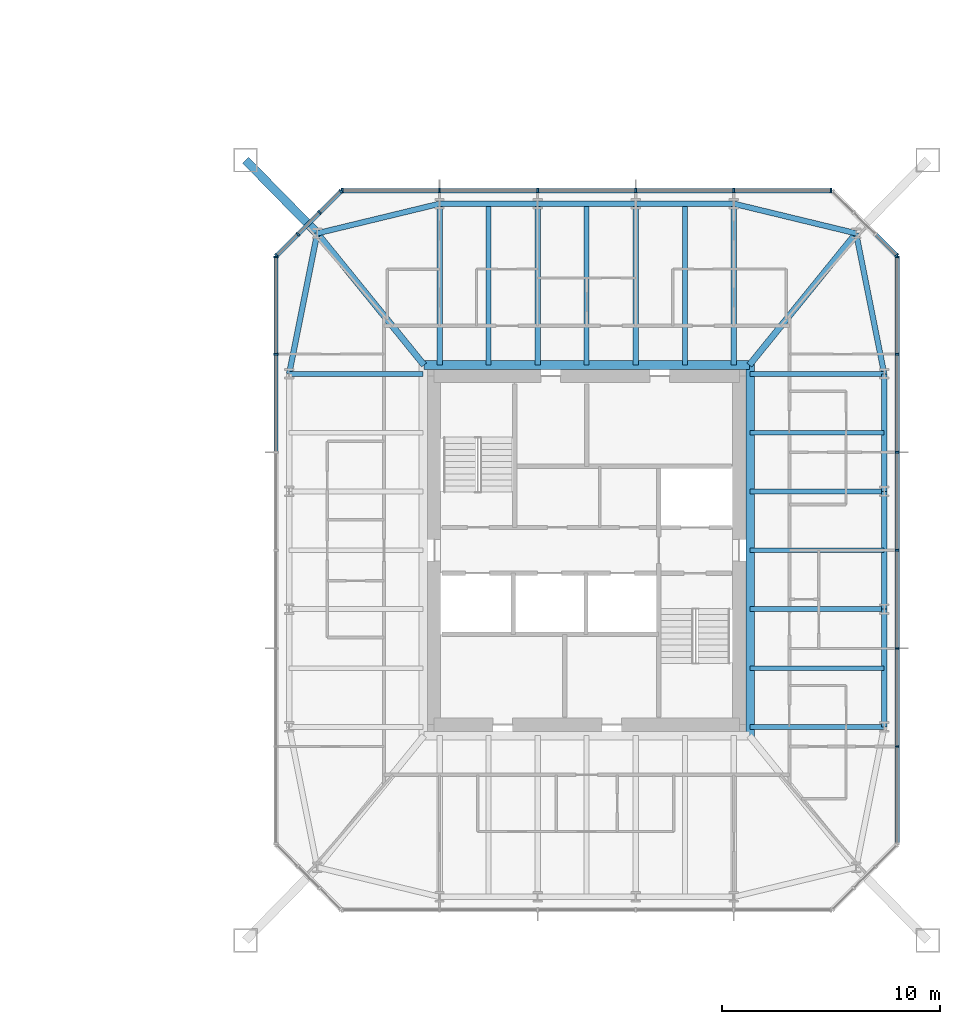
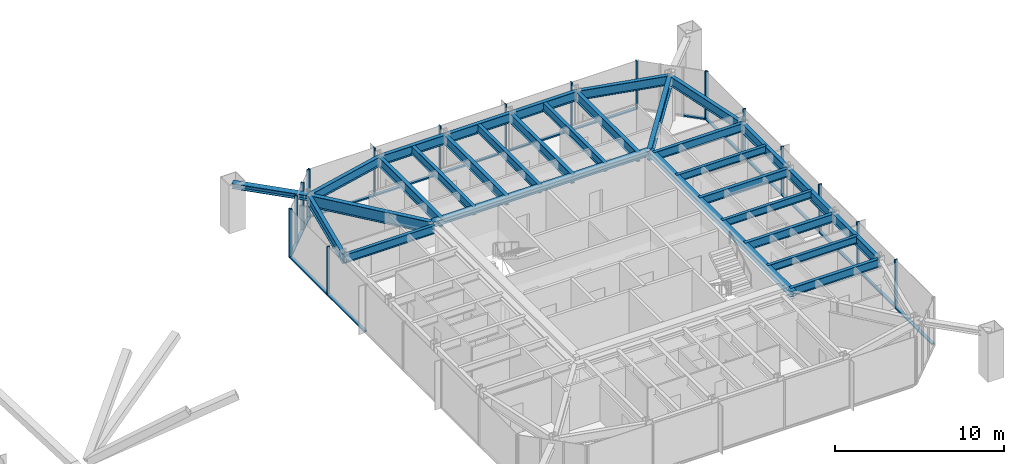
# One storey, part 11 of 27: 37 members, 29 beams, 5 elements without a shape of their own.
"""IFC4 building model written with IfcOpenShell, lengths in metres."""

from ifc_helpers import new_model, si_unit, direction, frame, origin, origin_2d, place, context, subcontext, project, spatial, rectangle, i_section, extrude, material, material_profile, profile_set, type_object, element, aggregate, save


model = new_model("IFC4")

# Units and contexts
model_context = context("Model", 3, precision=1e-05, world=origin(), true_north=direction((0.0, 1.0)))
body_context = subcontext(model_context, "Body", "Model", "MODEL_VIEW")
ifc_project = project(units=[si_unit("LENGTHUNIT", "METRE"), si_unit("AREAUNIT", "SQUARE_METRE"), si_unit("VOLUMEUNIT", "CUBIC_METRE"), si_unit("PLANEANGLEUNIT", "RADIAN"), si_unit("MASSUNIT", "GRAM", prefix="KILO")], contexts=[model_context])

# Site, building, storey
site_placement = place(None, origin())
site = spatial("IfcSite", under=ifc_project, at=site_placement, CompositionType="ELEMENT")
building_placement = place(site_placement, origin())
building = spatial("IfcBuilding", under=site, at=building_placement, Name="Iwan Alto Co-Living Towers", CompositionType="ELEMENT")
storey_placement = place(building_placement, frame((0.0, 0.0, 91.0)))
storey = spatial("IfcBuildingStorey", under=building, at=storey_placement, Name="L24", CompositionType="ELEMENT", Elevation=91.0)

# Curtain wall, members
ifc_material_1 = material(Name="Bronze aluminium unitised frame", Category="aluminium")
curtain_wall_type_1 = type_object("IfcCurtainWallType", Name="CURTAIN WALL CW-C", PredefinedType="NOTDEFINED", material=ifc_material_1)
curtain_wall_1_placement = place(storey_placement, origin())
curtain_wall_1 = element("IfcCurtainWall", 1, at=curtain_wall_1_placement, inside=storey, type_object=curtain_wall_type_1, Name="T2 curtain wall E L24", PredefinedType="NOTDEFINED")
ifc_material_2 = material(Name="Aluminium 6063-T6 bronze anodised", Category="aluminium")
ifc_material_profile_1 = material_profile(ifc_material_2, rectangle(XDim=0.199951171875, YDim=0.080078125, at=origin_2d()), Name="AL 80X200")
ifc_profile_set_1 = profile_set([ifc_material_profile_1], Name="Aluminium 6063-T6 bronze anodised")
member_type_1 = type_object("IfcMemberType", Name="CW-C MULLION 80X200", PredefinedType="MULLION", material=ifc_profile_set_1)
member_1_placement = place(storey_placement, frame((77.25, -9.0, 0.0), z_axis=(0.0, 0.0, 1.0), x_axis=(-1.0, 0.0, 0.0)))
member_1 = element("IfcMember", 2, at=member_1_placement, type_object=member_type_1, Name="CW-C mullion 2", PredefinedType="MULLION", context=body_context, shape_type="SweptSolid", body=[
    extrude(rectangle(XDim=0.199951171875, YDim=0.080078125, at=origin_2d()), origin(), (0.0, 0.0, 1.0), 3.5),
])
member_2_placement = place(storey_placement, frame((77.25, -4.5, 0.0), z_axis=(0.0, 0.0, 1.0), x_axis=(-1.0, 0.0, 0.0)))
member_2 = element("IfcMember", 3, at=member_2_placement, type_object=member_type_1, Name="CW-C mullion 3", PredefinedType="MULLION", context=body_context, shape_type="SweptSolid", body=[
    extrude(rectangle(XDim=0.199951171875, YDim=0.080078125, at=origin_2d()), origin(), (0.0, 0.0, 1.0), 3.5),
])
member_3_placement = place(storey_placement, frame((77.25, 0.0, 0.0), z_axis=(0.0, 0.0, 1.0), x_axis=(-1.0, 0.0, 0.0)))
member_3 = element("IfcMember", 4, at=member_3_placement, type_object=member_type_1, Name="CW-C mullion 4", PredefinedType="MULLION", context=body_context, shape_type="SweptSolid", body=[
    extrude(rectangle(XDim=0.199951171875, YDim=0.080078125, at=origin_2d()), origin(), (0.0, 0.0, 1.0), 3.5),
])
member_4_placement = place(storey_placement, frame((77.25, 4.5, 0.0), z_axis=(0.0, 0.0, 1.0), x_axis=(-1.0, 0.0, 0.0)))
member_4 = element("IfcMember", 5, at=member_4_placement, type_object=member_type_1, Name="CW-C mullion 5", PredefinedType="MULLION", context=body_context, shape_type="SweptSolid", body=[
    extrude(rectangle(XDim=0.199951171875, YDim=0.080078125, at=origin_2d()), origin(), (0.0, 0.0, 1.0), 3.5),
])
member_5_placement = place(storey_placement, frame((77.25, 9.0, 0.0), z_axis=(0.0, 0.0, 1.0), x_axis=(-1.0, 0.0, 0.0)))
member_5 = element("IfcMember", 6, at=member_5_placement, type_object=member_type_1, Name="CW-C mullion 6", PredefinedType="MULLION", context=body_context, shape_type="SweptSolid", body=[
    extrude(rectangle(XDim=0.199951171875, YDim=0.080078125, at=origin_2d()), origin(), (0.0, 0.0, 1.0), 3.5),
])
member_6_placement = place(storey_placement, frame((77.25, 13.4599609375, 0.0), z_axis=(0.0, 0.0, 1.0), x_axis=(-1.0, 0.0, 0.0)))
member_6 = element("IfcMember", 7, at=member_6_placement, type_object=member_type_1, Name="CW-C mullion 7", PredefinedType="MULLION", context=body_context, shape_type="SweptSolid", body=[
    extrude(rectangle(XDim=0.199951171875, YDim=0.080078125, at=origin_2d()), origin(), (0.0, 0.0, 1.0), 3.5),
])

curtain_wall_2_placement = place(storey_placement, origin())
curtain_wall_2 = element("IfcCurtainWall", 8, at=curtain_wall_2_placement, inside=storey, type_object=curtain_wall_type_1, Name="T2 curtain wall N L24", PredefinedType="NOTDEFINED")
member_7_placement = place(storey_placement, frame((74.2099609375, 16.5, 0.0), z_axis=(0.0, 0.0, 1.0), x_axis=(0.0, -1.0, 0.0)))
member_7 = element("IfcMember", 9, at=member_7_placement, type_object=member_type_1, Name="CW-C mullion 1", PredefinedType="MULLION", context=body_context, shape_type="SweptSolid", body=[
    extrude(rectangle(XDim=0.199951171875, YDim=0.080078125, at=origin_2d()), origin(), (0.0, 0.0, 1.0), 3.5),
])
member_8_placement = place(storey_placement, frame((69.75, 16.5, 0.0), z_axis=(0.0, 0.0, 1.0), x_axis=(0.0, -1.0, 0.0)))
member_8 = element("IfcMember", 10, at=member_8_placement, type_object=member_type_1, Name="CW-C mullion 2", PredefinedType="MULLION", context=body_context, shape_type="SweptSolid", body=[
    extrude(rectangle(XDim=0.199951171875, YDim=0.080078125, at=origin_2d()), origin(), (0.0, 0.0, 1.0), 3.5),
])
member_9_placement = place(storey_placement, frame((65.25, 16.5, 0.0), z_axis=(0.0, 0.0, 1.0), x_axis=(0.0, -1.0, 0.0)))
member_9 = element("IfcMember", 11, at=member_9_placement, type_object=member_type_1, Name="CW-C mullion 3", PredefinedType="MULLION", context=body_context, shape_type="SweptSolid", body=[
    extrude(rectangle(XDim=0.199951171875, YDim=0.080078125, at=origin_2d()), origin(), (0.0, 0.0, 1.0), 3.5),
])
member_10_placement = place(storey_placement, frame((60.75, 16.5, 0.0), z_axis=(0.0, 0.0, 1.0), x_axis=(0.0, -1.0, 0.0)))
member_10 = element("IfcMember", 12, at=member_10_placement, type_object=member_type_1, Name="CW-C mullion 4", PredefinedType="MULLION", context=body_context, shape_type="SweptSolid", body=[
    extrude(rectangle(XDim=0.199951171875, YDim=0.080078125, at=origin_2d()), origin(), (0.0, 0.0, 1.0), 3.5),
])
member_11_placement = place(storey_placement, frame((56.25, 16.5, 0.0), z_axis=(0.0, 0.0, 1.0), x_axis=(0.0, -1.0, 0.0)))
member_11 = element("IfcMember", 13, at=member_11_placement, type_object=member_type_1, Name="CW-C mullion 5", PredefinedType="MULLION", context=body_context, shape_type="SweptSolid", body=[
    extrude(rectangle(XDim=0.199951171875, YDim=0.080078125, at=origin_2d()), origin(), (0.0, 0.0, 1.0), 3.5),
])
member_12_placement = place(storey_placement, frame((51.7900390625, 16.5, 0.0), z_axis=(0.0, 0.0, 1.0), x_axis=(0.0, -1.0, 0.0)))
member_12 = element("IfcMember", 14, at=member_12_placement, type_object=member_type_1, Name="CW-C mullion 6", PredefinedType="MULLION", context=body_context, shape_type="SweptSolid", body=[
    extrude(rectangle(XDim=0.199951171875, YDim=0.080078125, at=origin_2d()), origin(), (0.0, 0.0, 1.0), 3.5),
])

curtain_wall_3_placement = place(storey_placement, origin())
curtain_wall_3 = element("IfcCurtainWall", 15, at=curtain_wall_3_placement, inside=storey, type_object=curtain_wall_type_1, Name="T2 curtain wall W L24", PredefinedType="NOTDEFINED")
member_13_placement = place(storey_placement, frame((48.75, 13.4599609375, 0.0), z_axis=(0.0, 0.0, 1.0), x_axis=(1.0, 0.0, 0.0)))
member_13 = element("IfcMember", 16, at=member_13_placement, type_object=member_type_1, Name="CW-C mullion 1", PredefinedType="MULLION", context=body_context, shape_type="SweptSolid", body=[
    extrude(rectangle(XDim=0.199951171875, YDim=0.080078125, at=origin_2d()), origin(), (0.0, 0.0, 1.0), 3.5),
])
member_14_placement = place(storey_placement, frame((48.75, 9.0, 0.0), z_axis=(0.0, 0.0, 1.0), x_axis=(1.0, 0.0, 0.0)))
member_14 = element("IfcMember", 17, at=member_14_placement, type_object=member_type_1, Name="CW-C mullion 2", PredefinedType="MULLION", context=body_context, shape_type="SweptSolid", body=[
    extrude(rectangle(XDim=0.199951171875, YDim=0.080078125, at=origin_2d()), origin(), (0.0, 0.0, 1.0), 3.5),
])

# Member
ifc_material_3 = material(Name="Aluminium 6063-T6 bronze anodised", Category="aluminium")
ifc_material_profile_2 = material_profile(ifc_material_3, rectangle(XDim=0.199951171875, YDim=0.10009765625, at=origin_2d()), Name="AL 200X100")
ifc_profile_set_2 = profile_set([ifc_material_profile_2], Name="Aluminium 6063-T6 bronze anodised")
member_type_2 = type_object("IfcMemberType", Name="CW-C TRANSOM 200X100", PredefinedType="USERDEFINED", material=ifc_profile_set_2)
member_15_placement = place(storey_placement, frame((77.25, -13.419921875, 0.050048828125), z_axis=(0.0, 1.0, 0.0), x_axis=(-1.0, 0.0, 0.0)))
member_15 = element("IfcMember", 18, at=member_15_placement, type_object=member_type_2, Name="CW-C transom 1.1", ObjectType="TRANSOM", PredefinedType="USERDEFINED", context=body_context, shape_type="SweptSolid", body=[
    extrude(rectangle(XDim=0.199951171875, YDim=0.10009765625, at=origin_2d()), origin(), (0.0, 0.0, 1.0), 4.3798828125),
])

member_16_placement = place(storey_placement, frame((77.25, -8.9599609375, 0.050048828125), z_axis=(0.0, 1.0, 0.0), x_axis=(-1.0, 0.0, 0.0)))
member_16 = element("IfcMember", 19, at=member_16_placement, type_object=member_type_2, Name="CW-C transom 2.1", ObjectType="TRANSOM", PredefinedType="USERDEFINED", context=body_context, shape_type="SweptSolid", body=[
    extrude(rectangle(XDim=0.199951171875, YDim=0.10009765625, at=origin_2d()), origin(), (0.0, 0.0, 1.0), 4.419921875),
])

member_17_placement = place(storey_placement, frame((77.25, -4.4599609375, 0.050048828125), z_axis=(0.0, 1.0, 0.0), x_axis=(-1.0, 0.0, 0.0)))
member_17 = element("IfcMember", 20, at=member_17_placement, type_object=member_type_2, Name="CW-C transom 3.1", ObjectType="TRANSOM", PredefinedType="USERDEFINED", context=body_context, shape_type="SweptSolid", body=[
    extrude(rectangle(XDim=0.199951171875, YDim=0.10009765625, at=origin_2d()), origin(), (0.0, 0.0, 1.0), 4.419921875),
])

member_18_placement = place(storey_placement, frame((77.25, 0.0400390625, 0.050048828125), z_axis=(0.0, 1.0, 0.0), x_axis=(-1.0, 0.0, 0.0)))
member_18 = element("IfcMember", 21, at=member_18_placement, type_object=member_type_2, Name="CW-C transom 4.1", ObjectType="TRANSOM", PredefinedType="USERDEFINED", context=body_context, shape_type="SweptSolid", body=[
    extrude(rectangle(XDim=0.199951171875, YDim=0.10009765625, at=origin_2d()), origin(), (0.0, 0.0, 1.0), 4.419921875),
])

member_19_placement = place(storey_placement, frame((77.25, 4.5400390625, 0.050048828125), z_axis=(0.0, 1.0, 0.0), x_axis=(-1.0, 0.0, 0.0)))
member_19 = element("IfcMember", 22, at=member_19_placement, type_object=member_type_2, Name="CW-C transom 5.1", ObjectType="TRANSOM", PredefinedType="USERDEFINED", context=body_context, shape_type="SweptSolid", body=[
    extrude(rectangle(XDim=0.199951171875, YDim=0.10009765625, at=origin_2d()), origin(), (0.0, 0.0, 1.0), 4.419921875),
])

member_20_placement = place(storey_placement, frame((77.25, 9.0400390625, 0.050048828125), z_axis=(0.0, 1.0, 0.0), x_axis=(-1.0, 0.0, 0.0)))
member_20 = element("IfcMember", 23, at=member_20_placement, type_object=member_type_2, Name="CW-C transom 6.1", ObjectType="TRANSOM", PredefinedType="USERDEFINED", context=body_context, shape_type="SweptSolid", body=[
    extrude(rectangle(XDim=0.199951171875, YDim=0.10009765625, at=origin_2d()), origin(), (0.0, 0.0, 1.0), 4.3798828125),
])

aggregate(curtain_wall_1, [member_1, member_2, member_3, member_4, member_5, member_6, member_15, member_16, member_17, member_18, member_19, member_20])

member_21_placement = place(storey_placement, frame((74.169921875, 16.5, 0.050048828125), z_axis=(-1.0, 0.0, 0.0), x_axis=(0.0, -1.0, 0.0)))
member_21 = element("IfcMember", 24, at=member_21_placement, type_object=member_type_2, Name="CW-C transom 1.1", ObjectType="TRANSOM", PredefinedType="USERDEFINED", context=body_context, shape_type="SweptSolid", body=[
    extrude(rectangle(XDim=0.199951171875, YDim=0.10009765625, at=origin_2d()), origin(), (0.0, 0.0, 1.0), 4.3798828125),
])

member_22_placement = place(storey_placement, frame((69.7099609375, 16.5, 0.050048828125), z_axis=(-1.0, 0.0, 0.0), x_axis=(0.0, -1.0, 0.0)))
member_22 = element("IfcMember", 25, at=member_22_placement, type_object=member_type_2, Name="CW-C transom 2.1", ObjectType="TRANSOM", PredefinedType="USERDEFINED", context=body_context, shape_type="SweptSolid", body=[
    extrude(rectangle(XDim=0.199951171875, YDim=0.10009765625, at=origin_2d()), origin(), (0.0, 0.0, 1.0), 4.419921875),
])

member_23_placement = place(storey_placement, frame((65.2099609375, 16.5, 0.050048828125), z_axis=(-1.0, 0.0, 0.0), x_axis=(0.0, -1.0, 0.0)))
member_23 = element("IfcMember", 26, at=member_23_placement, type_object=member_type_2, Name="CW-C transom 3.1", ObjectType="TRANSOM", PredefinedType="USERDEFINED", context=body_context, shape_type="SweptSolid", body=[
    extrude(rectangle(XDim=0.199951171875, YDim=0.10009765625, at=origin_2d()), origin(), (0.0, 0.0, 1.0), 4.419921875),
])

member_24_placement = place(storey_placement, frame((60.7099609375, 16.5, 0.050048828125), z_axis=(-1.0, 0.0, 0.0), x_axis=(0.0, -1.0, 0.0)))
member_24 = element("IfcMember", 27, at=member_24_placement, type_object=member_type_2, Name="CW-C transom 4.1", ObjectType="TRANSOM", PredefinedType="USERDEFINED", context=body_context, shape_type="SweptSolid", body=[
    extrude(rectangle(XDim=0.199951171875, YDim=0.10009765625, at=origin_2d()), origin(), (0.0, 0.0, 1.0), 4.419921875),
])

member_25_placement = place(storey_placement, frame((56.2099609375, 16.5, 0.050048828125), z_axis=(-1.0, 0.0, 0.0), x_axis=(0.0, -1.0, 0.0)))
member_25 = element("IfcMember", 28, at=member_25_placement, type_object=member_type_2, Name="CW-C transom 5.1", ObjectType="TRANSOM", PredefinedType="USERDEFINED", context=body_context, shape_type="SweptSolid", body=[
    extrude(rectangle(XDim=0.199951171875, YDim=0.10009765625, at=origin_2d()), origin(), (0.0, 0.0, 1.0), 4.3798828125),
])

aggregate(curtain_wall_2, [member_7, member_8, member_9, member_10, member_11, member_12, member_21, member_22, member_23, member_24, member_25])

member_26_placement = place(storey_placement, frame((48.75, 13.419921875, 0.050048828125), z_axis=(0.0, -1.0, 0.0), x_axis=(1.0, 0.0, 0.0)))
member_26 = element("IfcMember", 29, at=member_26_placement, type_object=member_type_2, Name="CW-C transom 1.1", ObjectType="TRANSOM", PredefinedType="USERDEFINED", context=body_context, shape_type="SweptSolid", body=[
    extrude(rectangle(XDim=0.199951171875, YDim=0.10009765625, at=origin_2d()), origin(), (0.0, 0.0, 1.0), 4.3798828125),
])

member_27_placement = place(storey_placement, frame((48.75, 8.9599609375, 0.050048828125), z_axis=(0.0, -1.0, 0.0), x_axis=(1.0, 0.0, 0.0)))
member_27 = element("IfcMember", 30, at=member_27_placement, type_object=member_type_2, Name="CW-C transom 2.1", ObjectType="TRANSOM", PredefinedType="USERDEFINED", context=body_context, shape_type="SweptSolid", body=[
    extrude(rectangle(XDim=0.199951171875, YDim=0.10009765625, at=origin_2d()), origin(), (0.0, 0.0, 1.0), 4.419921875),
])

aggregate(curtain_wall_3, [member_13, member_14, member_26, member_27])

# Curtain wall, member
ifc_material_4 = material(Name="Bronze aluminium unitised frame", Category="aluminium")
curtain_wall_type_2 = type_object("IfcCurtainWallType", Name="CURTAIN WALL CW-D", PredefinedType="NOTDEFINED", material=ifc_material_4)
curtain_wall_4_placement = place(storey_placement, origin())
curtain_wall_4 = element("IfcCurtainWall", 31, at=curtain_wall_4_placement, inside=storey, type_object=curtain_wall_type_2, Name="T2 chamfer curtain wall NE L24", PredefinedType="NOTDEFINED")
ifc_material_5 = material(Name="Aluminium 6063-T6 bronze anodised", Category="aluminium")
ifc_material_profile_3 = material_profile(ifc_material_5, rectangle(XDim=0.199951171875, YDim=0.080078125, at=origin_2d()), Name="AL 80X200")
ifc_profile_set_3 = profile_set([ifc_material_profile_3], Name="Aluminium 6063-T6 bronze anodised")
member_type_3 = type_object("IfcMemberType", Name="CW-D MULLION 80X200", PredefinedType="MULLION", material=ifc_profile_set_3)
member_28_placement = place(storey_placement, frame((77.2216796875, 13.5283203125, 0.0), z_axis=(0.0, 0.0, 1.0), x_axis=(-0.707106781187, -0.707106781187, 0.0)))
member_28 = element("IfcMember", 32, at=member_28_placement, type_object=member_type_3, Name="CW-D mullion 1", PredefinedType="MULLION", context=body_context, shape_type="SweptSolid", body=[
    extrude(rectangle(XDim=0.199951171875, YDim=0.080078125, at=origin_2d()), origin(), (0.0, 0.0, 1.0), 3.5),
])

# Curtain wall, members
curtain_wall_5_placement = place(storey_placement, origin())
curtain_wall_5 = element("IfcCurtainWall", 33, at=curtain_wall_5_placement, inside=storey, type_object=curtain_wall_type_2, Name="T2 chamfer curtain wall NW L24", PredefinedType="NOTDEFINED")
member_29_placement = place(storey_placement, frame((51.7216796875, 16.4716796875, 0.0), z_axis=(0.0, 0.0, 1.0), x_axis=(0.707106781187, -0.707106781187, 0.0)))
member_29 = element("IfcMember", 34, at=member_29_placement, type_object=member_type_3, Name="CW-D mullion 1", PredefinedType="MULLION", context=body_context, shape_type="SweptSolid", body=[
    extrude(rectangle(XDim=0.199951171875, YDim=0.080078125, at=origin_2d()), origin(), (0.0, 0.0, 1.0), 3.5),
])
member_30_placement = place(storey_placement, frame((50.75, 15.5, 0.0), z_axis=(0.0, 0.0, 1.0), x_axis=(0.707106781187, -0.707106781187, 0.0)))
member_30 = element("IfcMember", 35, at=member_30_placement, type_object=member_type_3, Name="CW-D mullion 2", PredefinedType="MULLION", context=body_context, shape_type="SweptSolid", body=[
    extrude(rectangle(XDim=0.199951171875, YDim=0.080078125, at=origin_2d()), origin(), (0.0, 0.0, 1.0), 3.5),
])
member_31_placement = place(storey_placement, frame((49.75, 14.5, 0.0), z_axis=(0.0, 0.0, 1.0), x_axis=(0.707106781187, -0.707106781187, 0.0)))
member_31 = element("IfcMember", 36, at=member_31_placement, type_object=member_type_3, Name="CW-D mullion 3", PredefinedType="MULLION", context=body_context, shape_type="SweptSolid", body=[
    extrude(rectangle(XDim=0.199951171875, YDim=0.080078125, at=origin_2d()), origin(), (0.0, 0.0, 1.0), 3.5),
])
member_32_placement = place(storey_placement, frame((48.7783203125, 13.5283203125, 0.0), z_axis=(0.0, 0.0, 1.0), x_axis=(0.707106781187, -0.707106781187, 0.0)))
member_32 = element("IfcMember", 37, at=member_32_placement, type_object=member_type_3, Name="CW-D mullion 4", PredefinedType="MULLION", context=body_context, shape_type="SweptSolid", body=[
    extrude(rectangle(XDim=0.199951171875, YDim=0.080078125, at=origin_2d()), origin(), (0.0, 0.0, 1.0), 3.5),
])

# Member
ifc_material_6 = material(Name="Aluminium 6063-T6 bronze anodised", Category="aluminium")
ifc_material_profile_4 = material_profile(ifc_material_6, rectangle(XDim=0.199951171875, YDim=0.10009765625, at=origin_2d()), Name="AL 200X100")
ifc_profile_set_4 = profile_set([ifc_material_profile_4], Name="Aluminium 6063-T6 bronze anodised")
member_type_4 = type_object("IfcMemberType", Name="CW-D TRANSOM 200X100", PredefinedType="USERDEFINED", material=ifc_profile_set_4)
member_33_placement = place(storey_placement, frame((77.193359375, 13.556640625, 0.050048828125), z_axis=(-0.707106781187, 0.707106781187, 0.0), x_axis=(-0.707106781187, -0.707106781187, 0.0)))
member_33 = element("IfcMember", 38, at=member_33_placement, type_object=member_type_4, Name="CW-D transom 1.1", ObjectType="TRANSOM", PredefinedType="USERDEFINED", context=body_context, shape_type="SweptSolid", body=[
    extrude(rectangle(XDim=0.199951171875, YDim=0.10009765625, at=origin_2d()), origin(), (0.0, 0.0, 1.0), 1.2939453125),
])

aggregate(curtain_wall_4, [member_28, member_33])

member_34_placement = place(storey_placement, frame((51.693359375, 16.443359375, 0.050048828125), z_axis=(-0.707106781187, -0.707106781187, 0.0), x_axis=(0.707106781187, -0.707106781187, 0.0)))
member_34 = element("IfcMember", 39, at=member_34_placement, type_object=member_type_4, Name="CW-D transom 1.1", ObjectType="TRANSOM", PredefinedType="USERDEFINED", context=body_context, shape_type="SweptSolid", body=[
    extrude(rectangle(XDim=0.199951171875, YDim=0.10009765625, at=origin_2d()), origin(), (0.0, 0.0, 1.0), 1.2939453125),
])

member_35_placement = place(storey_placement, frame((50.7216796875, 15.4716796875, 0.050048828125), z_axis=(-0.707106781187, -0.707106781187, 0.0), x_axis=(0.707106781187, -0.707106781187, 0.0)))
member_35 = element("IfcMember", 40, at=member_35_placement, type_object=member_type_4, Name="CW-D transom 2.1", ObjectType="TRANSOM", PredefinedType="USERDEFINED", context=body_context, shape_type="SweptSolid", body=[
    extrude(rectangle(XDim=0.199951171875, YDim=0.10009765625, at=origin_2d()), origin(), (0.0, 0.0, 1.0), 1.334228515625),
])

member_36_placement = place(storey_placement, frame((49.7216796875, 14.4716796875, 0.050048828125), z_axis=(-0.707106781187, -0.707106781187, 0.0), x_axis=(0.707106781187, -0.707106781187, 0.0)))
member_36 = element("IfcMember", 41, at=member_36_placement, type_object=member_type_4, Name="CW-D transom 3.1", ObjectType="TRANSOM", PredefinedType="USERDEFINED", context=body_context, shape_type="SweptSolid", body=[
    extrude(rectangle(XDim=0.199951171875, YDim=0.10009765625, at=origin_2d()), origin(), (0.0, 0.0, 1.0), 1.2939453125),
])

aggregate(curtain_wall_5, [member_29, member_30, member_31, member_32, member_34, member_35, member_36])

# Beams
ifc_material_7 = material(Name="Steel ASTM A992 Gr 50", Category="steel")
ifc_material_profile_5 = material_profile(ifc_material_7, i_section(OverallWidth=0.398681640625, OverallDepth=0.385986328125, WebThickness=0.02099609375, FlangeThickness=0.033203125, at=origin_2d()), Name="W14X176")
ifc_profile_set_5 = profile_set([ifc_material_profile_5], Name="Steel ASTM A992 Gr 50")
beam_type_1 = type_object("IfcBeamType", Name="T2 CORE LEDGER BEAM W14X176", PredefinedType="BEAM", material=ifc_profile_set_5)
beam_1_placement = place(storey_placement, frame((70.49951171875, -8.5458984375, 3.076904296875), z_axis=(0.0, 1.0, 0.0), x_axis=(-1.0, 0.0, 0.0)))
element("IfcBeam", 42, at=beam_1_placement, inside=storey, type_object=beam_type_1, Name="T2 core ledger beam E L25", PredefinedType="BEAM", context=body_context, shape_type="SweptSolid", body=[
    extrude(i_section(OverallWidth=0.398681640625, OverallDepth=0.385986328125, WebThickness=0.02099609375, FlangeThickness=0.033203125, at=origin_2d()), origin(), (0.0, 0.0, 1.0), 17.091796875),
])
beam_2_placement = place(storey_placement, frame((70.461669921875, 8.49951171875, 3.076904296875), z_axis=(-1.0, 0.0, 0.0), x_axis=(0.0, -1.0, 0.0)))
element("IfcBeam", 43, at=beam_2_placement, inside=storey, type_object=beam_type_1, Name="T2 core ledger beam N L25", PredefinedType="BEAM", context=body_context, shape_type="SweptSolid", body=[
    extrude(i_section(OverallWidth=0.398681640625, OverallDepth=0.385986328125, WebThickness=0.02099609375, FlangeThickness=0.033203125, at=origin_2d()), origin(), (0.0, 0.0, 1.0), 14.92333984375),
])
ifc_material_8 = material(Name="Steel ASTM A992 Gr 50", Category="steel")
ifc_material_profile_6 = material_profile(ifc_material_8, i_section(OverallWidth=0.2919921875, OverallDepth=0.8408203125, WebThickness=0.0146484375, FlangeThickness=0.021728515625, at=origin_2d()), Name="W33X130")
ifc_profile_set_6 = profile_set([ifc_material_profile_6], Name="Steel ASTM A992 Gr 50")
beam_type_2 = type_object("IfcBeamType", Name="T2 CORNER GIRDER W33X130", PredefinedType="BEAM", material=ifc_profile_set_6)
for number, where, z_axis, x_axis, name in (
    (44, (75.361328125, 14.542724609375, 2.849609375), (-0.629783024592, -0.776771100091, 0.0), (0.776771100091, -0.629783024592, 0.0), "T2 corner girder CNE L25"),
    (45, (50.638671875, 14.542724609375, 2.849609375), (0.629783024592, -0.776771100091, 0.0), (0.776771100091, 0.629783024592, 0.0), "T2 corner girder CNW L25"),
):
    element("IfcBeam", number, at=place(storey_placement, frame(where, z_axis=z_axis, x_axis=x_axis)), inside=storey, type_object=beam_type_2, Name=name, PredefinedType="BEAM", context=body_context, shape_type="SweptSolid", body=[
        extrude(i_section(OverallWidth=0.2919921875, OverallDepth=0.8408203125, WebThickness=0.0146484375, FlangeThickness=0.021728515625, at=origin_2d()), origin(), (0.0, 0.0, 1.0), 7.780029296875),
    ])
ifc_material_9 = material(Name="Steel ASTM A992 Gr 50", Category="steel")
ifc_material_profile_7 = material_profile(ifc_material_9, i_section(OverallWidth=0.25390625, OverallDepth=0.683349609375, WebThickness=0.012451171875, FlangeThickness=0.018798828125, at=origin_2d()), Name="W27X94")
ifc_profile_set_7 = profile_set([ifc_material_profile_7], Name="Steel ASTM A992 Gr 50")
beam_type_3 = type_object("IfcBeamType", Name="T2 EDGE BEAM W27X94", PredefinedType="BEAM", material=ifc_profile_set_7)
beam_3_placement = place(storey_placement, frame((76.64990234375, -8.10009765625, 2.928466796875), z_axis=(0.0, 1.0, 0.0), x_axis=(-1.0, 0.0, 0.0)))
element("IfcBeam", 46, at=beam_3_placement, inside=storey, type_object=beam_type_3, Name="T2 edge beam E1 L25", PredefinedType="BEAM", context=body_context, shape_type="SweptSolid", body=[
    extrude(i_section(OverallWidth=0.25390625, OverallDepth=0.683349609375, WebThickness=0.012451171875, FlangeThickness=0.018798828125, at=origin_2d()), origin(), (0.0, 0.0, 1.0), 5.400146484375),
])
beam_4_placement = place(storey_placement, frame((76.64990234375, -2.699951171875, 2.928466796875), z_axis=(0.0, 1.0, 0.0), x_axis=(-1.0, 0.0, 0.0)))
element("IfcBeam", 47, at=beam_4_placement, inside=storey, type_object=beam_type_3, Name="T2 edge beam E2 L25", PredefinedType="BEAM", context=body_context, shape_type="SweptSolid", body=[
    extrude(i_section(OverallWidth=0.25390625, OverallDepth=0.683349609375, WebThickness=0.012451171875, FlangeThickness=0.018798828125, at=origin_2d()), origin(), (0.0, 0.0, 1.0), 5.39990234375),
])
beam_5_placement = place(storey_placement, frame((76.64990234375, 2.699951171875, 2.928466796875), z_axis=(0.0, 1.0, 0.0), x_axis=(-1.0, 0.0, 0.0)))
element("IfcBeam", 48, at=beam_5_placement, inside=storey, type_object=beam_type_3, Name="T2 edge beam E3 L25", PredefinedType="BEAM", context=body_context, shape_type="SweptSolid", body=[
    extrude(i_section(OverallWidth=0.25390625, OverallDepth=0.683349609375, WebThickness=0.012451171875, FlangeThickness=0.018798828125, at=origin_2d()), origin(), (0.0, 0.0, 1.0), 5.400146484375),
])
beam_6_placement = place(storey_placement, frame((76.64990234375, 8.10009765625, 2.928466796875), z_axis=(-0.196123281025, 0.980579246487, 0.0), x_axis=(-0.980579246487, -0.196123281025, 0.0)))
element("IfcBeam", 49, at=beam_6_placement, inside=storey, type_object=beam_type_3, Name="T2 edge beam E4 L25", PredefinedType="BEAM", context=body_context, shape_type="SweptSolid", body=[
    extrude(i_section(OverallWidth=0.25390625, OverallDepth=0.683349609375, WebThickness=0.012451171875, FlangeThickness=0.018798828125, at=origin_2d()), origin(), (0.0, 0.0, 1.0), 6.5703125),
])
beam_7_placement = place(storey_placement, frame((75.361328125, 14.542724609375, 2.928466796875), z_axis=(-0.971974673138, 0.235085590323, 0.0), x_axis=(-0.235085590323, -0.971974673138, 0.0)))
element("IfcBeam", 50, at=beam_7_placement, inside=storey, type_object=beam_type_3, Name="T2 edge beam CNE L25", PredefinedType="BEAM", context=body_context, shape_type="SweptSolid", body=[
    extrude(i_section(OverallWidth=0.25390625, OverallDepth=0.683349609375, WebThickness=0.012451171875, FlangeThickness=0.018798828125, at=origin_2d()), origin(), (0.0, 0.0, 1.0), 5.773193359375),
])
for number, where, z_axis, x_axis, name in (
    (51, (69.75, 15.89990234375, 2.928466796875), (-1.0, 0.0, 0.0), (0.0, -1.0, 0.0), "T2 edge beam N1 L25"),
    (52, (65.25, 15.89990234375, 2.928466796875), (-1.0, 0.0, 0.0), (0.0, -1.0, 0.0), "T2 edge beam N2 L25"),
    (53, (60.75, 15.89990234375, 2.928466796875), (-1.0, 0.0, 0.0), (0.0, -1.0, 0.0), "T2 edge beam N3 L25"),
):
    element("IfcBeam", number, at=place(storey_placement, frame(where, z_axis=z_axis, x_axis=x_axis)), inside=storey, type_object=beam_type_3, Name=name, PredefinedType="BEAM", context=body_context, shape_type="SweptSolid", body=[
        extrude(i_section(OverallWidth=0.25390625, OverallDepth=0.683349609375, WebThickness=0.012451171875, FlangeThickness=0.018798828125, at=origin_2d()), origin(), (0.0, 0.0, 1.0), 4.5),
    ])
beam_8_placement = place(storey_placement, frame((56.25, 15.89990234375, 2.928466796875), z_axis=(-0.971974673138, -0.235085590323, 0.0), x_axis=(0.235085590323, -0.971974673138, 0.0)))
element("IfcBeam", 54, at=beam_8_placement, inside=storey, type_object=beam_type_3, Name="T2 edge beam N4 L25", PredefinedType="BEAM", context=body_context, shape_type="SweptSolid", body=[
    extrude(i_section(OverallWidth=0.25390625, OverallDepth=0.683349609375, WebThickness=0.012451171875, FlangeThickness=0.018798828125, at=origin_2d()), origin(), (0.0, 0.0, 1.0), 5.773193359375),
])
beam_9_placement = place(storey_placement, frame((50.638671875, 14.542724609375, 2.928466796875), z_axis=(-0.196123281025, -0.980579246487, 0.0), x_axis=(0.980579246487, -0.196123281025, 0.0)))
element("IfcBeam", 55, at=beam_9_placement, inside=storey, type_object=beam_type_3, Name="T2 edge beam CNW L25", PredefinedType="BEAM", context=body_context, shape_type="SweptSolid", body=[
    extrude(i_section(OverallWidth=0.25390625, OverallDepth=0.683349609375, WebThickness=0.012451171875, FlangeThickness=0.018798828125, at=origin_2d()), origin(), (0.0, 0.0, 1.0), 6.5703125),
])

# Member
ifc_material_10 = material(Name="Steel ASTM A992 Gr 50", Category="steel")
ifc_material_profile_8 = material_profile(ifc_material_10, i_section(OverallWidth=0.393798828125, OverallDepth=0.3759765625, WebThickness=0.017333984375, FlangeThickness=0.027587890625, at=origin_2d()), Name="W14X145")
ifc_profile_set_8 = profile_set([ifc_material_profile_8], Name="Steel ASTM A992 Gr 50")
member_type_5 = type_object("IfcMemberType", Name="T2 MEGA COLUMN FLOOR TIE W14X145", PredefinedType="STRUT", material=ifc_profile_set_8)
member_37_placement = place(storey_placement, frame((47.35009765625, 17.89990234375, 3.08203125), z_axis=(0.699770096147, -0.714368121166, 0.0), x_axis=(0.714368121166, 0.699770096147, 0.0)))
element("IfcMember", 56, at=member_37_placement, inside=storey, type_object=member_type_5, Name="T2 mega column floor tie NW L25", PredefinedType="STRUT", context=body_context, shape_type="SweptSolid", body=[
    extrude(i_section(OverallWidth=0.393798828125, OverallDepth=0.3759765625, WebThickness=0.017333984375, FlangeThickness=0.027587890625, at=origin_2d()), origin(), (0.0, 0.0, 1.0), 4.699462890625),
])

# Beams
ifc_material_11 = material(Name="Steel ASTM A992 Gr 50", Category="steel")
ifc_material_profile_9 = material_profile(ifc_material_11, i_section(OverallWidth=0.228271484375, OverallDepth=0.607177734375, WebThickness=0.01123046875, FlangeThickness=0.017333984375, at=origin_2d()), Name="W24X76")
ifc_profile_set_9 = profile_set([ifc_material_profile_9], Name="Steel ASTM A992 Gr 50")
beam_type_4 = type_object("IfcBeamType", Name="T2 RADIAL BEAM W24X76", PredefinedType="BEAM", material=ifc_profile_set_9)
for number, where, z_axis, x_axis, name in (
    (57, (76.64990234375, -8.10009765625, 2.966552734375), (-1.0, 0.0, 0.0), (0.0, -1.0, 0.0), "T2 radial beam E1 L25"),
    (58, (76.64990234375, -2.699951171875, 2.966552734375), (-1.0, 0.0, 0.0), (0.0, -1.0, 0.0), "T2 radial beam E2 L25"),
    (59, (76.64990234375, 2.699951171875, 2.966552734375), (-1.0, 0.0, 0.0), (0.0, -1.0, 0.0), "T2 radial beam E3 L25"),
    (60, (76.64990234375, 8.10009765625, 2.966552734375), (-1.0, 0.0, 0.0), (0.0, -1.0, 0.0), "T2 radial beam E4 L25"),
    (61, (49.35009765625, 8.10009765625, 2.966552734375), (1.0, 0.0, 0.0), (0.0, 1.0, 0.0), "T2 radial beam W1 L25"),
):
    element("IfcBeam", number, at=place(storey_placement, frame(where, z_axis=z_axis, x_axis=x_axis)), inside=storey, type_object=beam_type_4, Name=name, PredefinedType="BEAM", context=body_context, shape_type="SweptSolid", body=[
        extrude(i_section(OverallWidth=0.228271484375, OverallDepth=0.607177734375, WebThickness=0.01123046875, FlangeThickness=0.017333984375, at=origin_2d()), origin(), (0.0, 0.0, 1.0), 6.150390625),
    ])
ifc_material_12 = material(Name="Steel ASTM A992 Gr 50", Category="steel")
ifc_material_profile_10 = material_profile(ifc_material_12, i_section(OverallWidth=0.25390625, OverallDepth=0.683349609375, WebThickness=0.012451171875, FlangeThickness=0.018798828125, at=origin_2d()), Name="W27X94")
ifc_profile_set_10 = profile_set([ifc_material_profile_10], Name="Steel ASTM A992 Gr 50")
beam_type_5 = type_object("IfcBeamType", Name="T2 RADIAL BEAM W27X94", PredefinedType="BEAM", material=ifc_profile_set_10)
for number, where, z_axis, x_axis, name in (
    (62, (69.75, 15.89990234375, 2.928466796875), (0.0, -1.0, 0.0), (1.0, 0.0, 0.0), "T2 radial beam N1 L25"),
    (63, (65.25, 15.89990234375, 2.928466796875), (0.0, -1.0, 0.0), (1.0, 0.0, 0.0), "T2 radial beam N2 L25"),
    (64, (60.75, 15.89990234375, 2.928466796875), (0.0, -1.0, 0.0), (1.0, 0.0, 0.0), "T2 radial beam N3 L25"),
    (65, (56.25, 15.89990234375, 2.928466796875), (0.0, -1.0, 0.0), (1.0, 0.0, 0.0), "T2 radial beam N4 L25"),
):
    element("IfcBeam", number, at=place(storey_placement, frame(where, z_axis=z_axis, x_axis=x_axis)), inside=storey, type_object=beam_type_5, Name=name, PredefinedType="BEAM", context=body_context, shape_type="SweptSolid", body=[
        extrude(i_section(OverallWidth=0.25390625, OverallDepth=0.683349609375, WebThickness=0.012451171875, FlangeThickness=0.018798828125, at=origin_2d()), origin(), (0.0, 0.0, 1.0), 7.400390625),
    ])
ifc_material_13 = material(Name="Steel ASTM A992 Gr 50", Category="steel")
ifc_material_profile_11 = material_profile(ifc_material_13, i_section(OverallWidth=0.209228515625, OverallDepth=0.533447265625, WebThickness=0.01025390625, FlangeThickness=0.015625, at=origin_2d()), Name="W21X62")
ifc_profile_set_11 = profile_set([ifc_material_profile_11], Name="Steel ASTM A992 Gr 50")
beam_type_6 = type_object("IfcBeamType", Name="T2 SECONDARY BEAM W21X62", PredefinedType="JOIST", material=ifc_profile_set_11)
for number, where, z_axis, x_axis, name in (
    (66, (76.64990234375, -5.39990234375, 3.00341796875), (-1.0, 0.0, 0.0), (0.0, -1.0, 0.0), "T2 secondary beam E1 L25"),
    (67, (76.64990234375, 0.0, 3.00341796875), (-1.0, 0.0, 0.0), (0.0, -1.0, 0.0), "T2 secondary beam E2 L25"),
    (68, (76.64990234375, 5.39990234375, 3.00341796875), (-1.0, 0.0, 0.0), (0.0, -1.0, 0.0), "T2 secondary beam E3 L25"),
):
    element("IfcBeam", number, at=place(storey_placement, frame(where, z_axis=z_axis, x_axis=x_axis)), inside=storey, type_object=beam_type_6, Name=name, PredefinedType="JOIST", context=body_context, shape_type="SweptSolid", body=[
        extrude(i_section(OverallWidth=0.209228515625, OverallDepth=0.533447265625, WebThickness=0.01025390625, FlangeThickness=0.015625, at=origin_2d()), origin(), (0.0, 0.0, 1.0), 6.150390625),
    ])
ifc_material_14 = material(Name="Steel ASTM A992 Gr 50", Category="steel")
ifc_material_profile_12 = material_profile(ifc_material_14, i_section(OverallWidth=0.228271484375, OverallDepth=0.607177734375, WebThickness=0.01123046875, FlangeThickness=0.017333984375, at=origin_2d()), Name="W24X76")
ifc_profile_set_12 = profile_set([ifc_material_profile_12], Name="Steel ASTM A992 Gr 50")
beam_type_7 = type_object("IfcBeamType", Name="T2 SECONDARY BEAM W24X76", PredefinedType="JOIST", material=ifc_profile_set_12)
for number, where, z_axis, x_axis, name in (
    (69, (67.5, 15.89990234375, 2.966552734375), (0.0, -1.0, 0.0), (1.0, 0.0, 0.0), "T2 secondary beam N1 L25"),
    (70, (63.0, 15.89990234375, 2.966552734375), (0.0, -1.0, 0.0), (1.0, 0.0, 0.0), "T2 secondary beam N2 L25"),
    (71, (58.5, 15.89990234375, 2.966552734375), (0.0, -1.0, 0.0), (1.0, 0.0, 0.0), "T2 secondary beam N3 L25"),
):
    element("IfcBeam", number, at=place(storey_placement, frame(where, z_axis=z_axis, x_axis=x_axis)), inside=storey, type_object=beam_type_7, Name=name, PredefinedType="JOIST", context=body_context, shape_type="SweptSolid", body=[
        extrude(i_section(OverallWidth=0.228271484375, OverallDepth=0.607177734375, WebThickness=0.01123046875, FlangeThickness=0.017333984375, at=origin_2d()), origin(), (0.0, 0.0, 1.0), 7.400390625),
    ])

save(model, "model.ifc")
